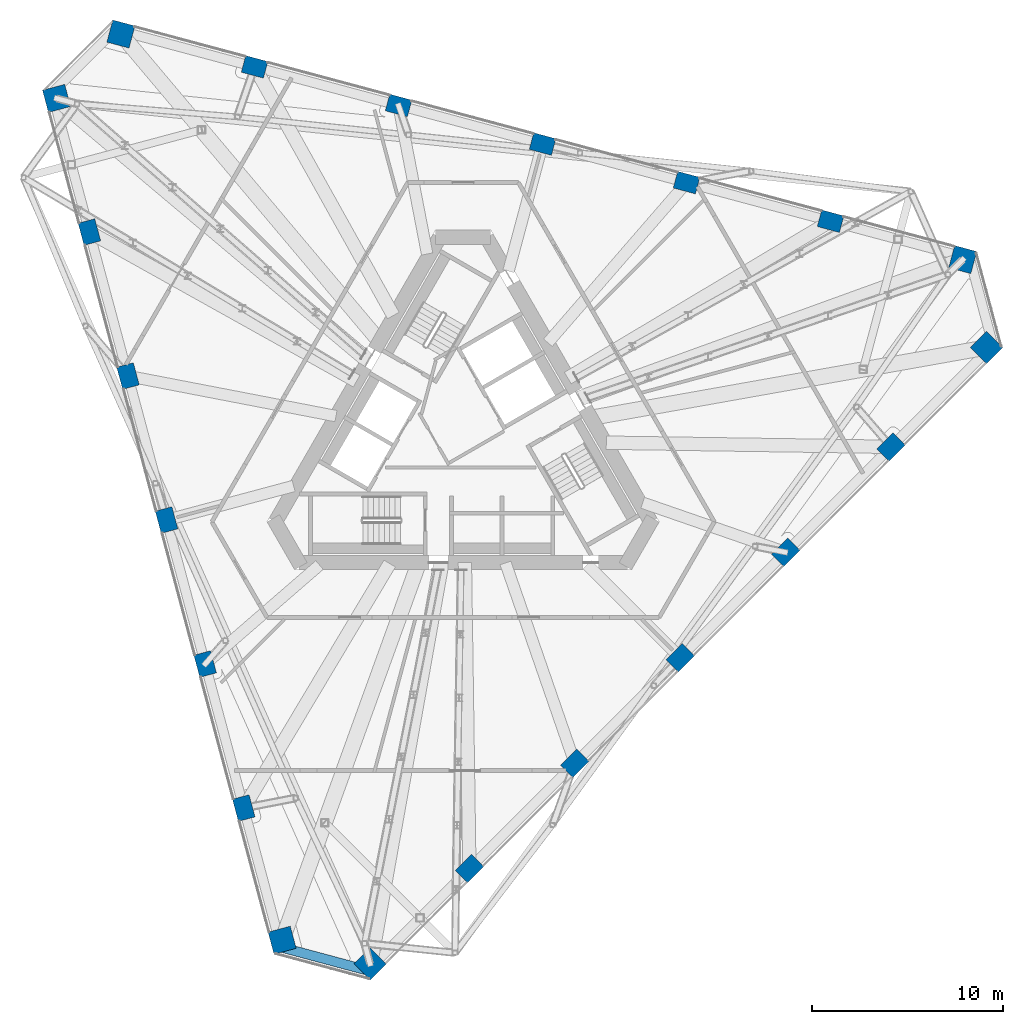
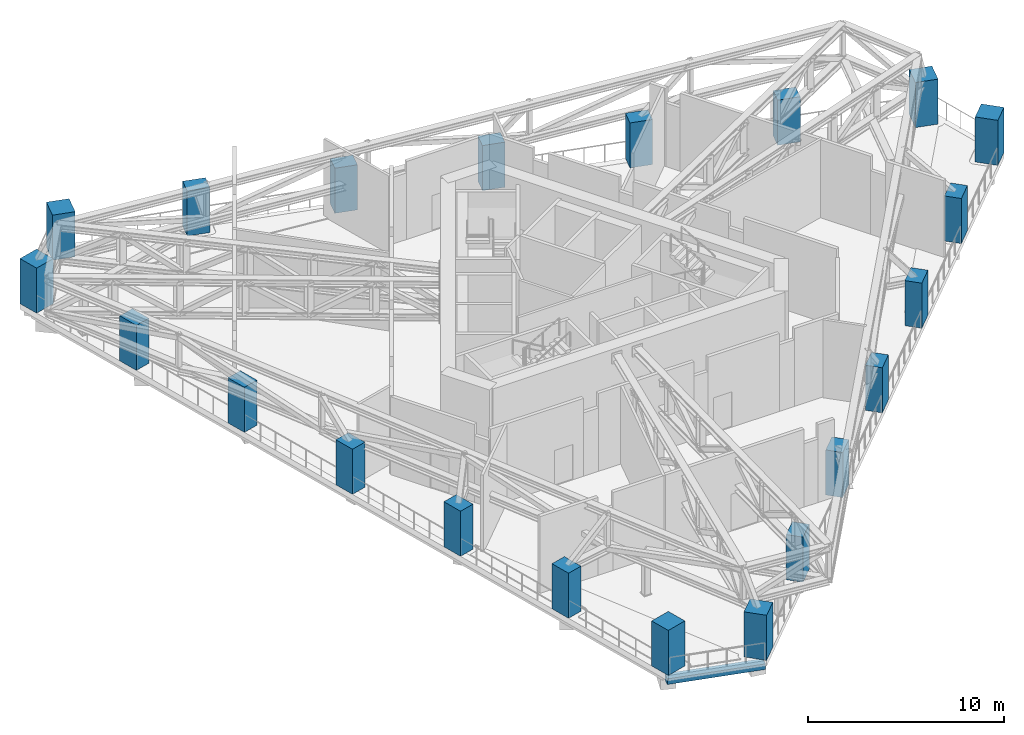
# One storey, part 1 of 22: 21 columns, 1 beam.
"""IFC4 building model written with IfcOpenShell, lengths in metres."""

from ifc_helpers import new_model, si_unit, direction, frame, origin, origin_2d, place, context, subcontext, project, spatial, rectangle, extrude, material, material_profile, profile_set, type_object, element, save


model = new_model("IFC4")

# Units and contexts
model_context = context("Model", 3, precision=1e-05, world=origin(), true_north=direction((0.0, 1.0)))
body_context = subcontext(model_context, "Body", "Model", "MODEL_VIEW")
ifc_project = project(units=[si_unit("LENGTHUNIT", "METRE"), si_unit("AREAUNIT", "SQUARE_METRE"), si_unit("VOLUMEUNIT", "CUBIC_METRE"), si_unit("PLANEANGLEUNIT", "RADIAN"), si_unit("MASSUNIT", "GRAM", prefix="KILO")], contexts=[model_context])

# Site, building, storey
site_placement = place(None, origin())
site = spatial("IfcSite", under=ifc_project, at=site_placement, CompositionType="ELEMENT")
building_placement = place(site_placement, origin())
building = spatial("IfcBuilding", under=site, at=building_placement, Name="Tramontana Tower", CompositionType="ELEMENT")
storey_placement = place(building_placement, frame((0.0, 0.0, 232.0)))
storey = spatial("IfcBuildingStorey", under=building, at=storey_placement, Name="L54", CompositionType="ELEMENT", Elevation=232.0)

# Columns
ifc_material_1 = material(Name="Concrete 55 MPa", Category="concrete")
ifc_material_profile_1 = material_profile(ifc_material_1, rectangle(XDim=1.199951171875, YDim=1.199951171875, at=origin_2d()), Name="Mega column 1200X1200 55 MPa")
ifc_profile_set_1 = profile_set([ifc_material_profile_1], Name="Concrete 55 MPa")
column_type_1 = type_object("IfcColumnType", Name="Mega column 1200X1200 55 MPa", PredefinedType="COLUMN", material=ifc_profile_set_1)
for number, where, z_axis, x_axis, name in (
    (1, (-21.2548828125, 17.89111328125, 0.0), (0.0, 0.0, 1.0), (0.258819045103, -0.965925826289, 0.0), "Mega column C5K1 L54"),
    (2, (-9.461669921875, -26.12158203125, 0.0), (0.0, 0.0, 1.0), (0.258819045103, -0.965925826289, 0.0), "Mega column C5K2 L54"),
    (3, (-4.86669921875, -27.352783203125, 0.0), (0.0, 0.0, 1.0), (0.707106781187, 0.707106781187, 0.0), "Mega column C5K3 L54"),
    (4, (27.352783203125, 4.86669921875, 0.0), (0.0, 0.0, 1.0), (0.707106781187, 0.707106781187, 0.0), "Mega column C5K4 L54"),
    (5, (26.12158203125, 9.461669921875, 0.0), (0.0, 0.0, 1.0), (-0.965925826289, 0.258819045103, 0.0), "Mega column C5K5 L54"),
    (6, (-17.89111328125, 21.2548828125, 0.0), (0.0, 0.0, 1.0), (-0.965925826289, 0.258819045103, 0.0), "Mega column C5K6 L54"),
):
    element("IfcColumn", number, at=place(storey_placement, frame(where, z_axis=z_axis, x_axis=x_axis)), inside=storey, type_object=column_type_1, Name=name, PredefinedType="COLUMN", context=body_context, shape_type="SweptSolid", body=[
        extrude(rectangle(XDim=1.199951171875, YDim=1.199951171875, at=origin_2d()), origin(), (0.0, 0.0, 1.0), 2.806396484375),
    ])
ifc_material_2 = material(Name="Concrete 55 MPa", Category="concrete")
ifc_material_profile_2 = material_profile(ifc_material_2, rectangle(XDim=1.199951171875, YDim=0.89990234375, at=origin_2d()), Name="Pier column 1200X900 55 MPa")
ifc_profile_set_2 = profile_set([ifc_material_profile_2], Name="Concrete 55 MPa")
column_type_2 = type_object("IfcColumnType", Name="Pier column 1200X900 55 MPa", PredefinedType="COLUMN", material=ifc_profile_set_2)
for number, where, z_axis, x_axis, name in (
    (7, (-19.53759765625, 10.9033203125, 0.0), (0.0, 0.0, 1.0), (0.258819045103, -0.965925826289, 0.0), "Pier column C5F01 L54"),
    (8, (-17.5205078125, 3.37451171875, 0.0), (0.0, 0.0, 1.0), (0.258819045103, -0.965925826289, 0.0), "Pier column C5F02 L54"),
    (9, (-15.503173828125, -4.154052734375, 0.0), (0.0, 0.0, 1.0), (0.258819045103, -0.965925826289, 0.0), "Pier column C5F03 L54"),
    (10, (-13.48583984375, -11.6826171875, 0.0), (0.0, 0.0, 1.0), (0.258819045103, -0.965925826289, 0.0), "Pier column C5F04 L54"),
    (11, (-11.468505859375, -19.21142578125, 0.0), (0.0, 0.0, 1.0), (0.258819045103, -0.965925826289, 0.0), "Pier column C5F05 L54"),
    (12, (0.326416015625, -22.371826171875, 0.0), (0.0, 0.0, 1.0), (0.707106781187, 0.707106781187, 0.0), "Pier column C5F06 L54"),
    (13, (5.837646484375, -16.8603515625, 0.0), (0.0, 0.0, 1.0), (0.707106781187, 0.707106781187, 0.0), "Pier column C5F07 L54"),
    (14, (11.34912109375, -11.34912109375, 0.0), (0.0, 0.0, 1.0), (0.707106781187, 0.707106781187, 0.0), "Pier column C5F08 L54"),
    (15, (16.8603515625, -5.837646484375, 0.0), (0.0, 0.0, 1.0), (0.707106781187, 0.707106781187, 0.0), "Pier column C5F09 L54"),
    (16, (22.371826171875, -0.326416015625, 0.0), (0.0, 0.0, 1.0), (0.707106781187, 0.707106781187, 0.0), "Pier column C5F10 L54"),
    (17, (19.21142578125, 11.468505859375, 0.0), (0.0, 0.0, 1.0), (-0.965925826289, 0.258819045103, 0.0), "Pier column C5F11 L54"),
    (18, (11.6826171875, 13.48583984375, 0.0), (0.0, 0.0, 1.0), (-0.965925826289, 0.258819045103, 0.0), "Pier column C5F12 L54"),
    (19, (4.154052734375, 15.503173828125, 0.0), (0.0, 0.0, 1.0), (-0.965925826289, 0.258819045103, 0.0), "Pier column C5F13 L54"),
    (20, (-3.37451171875, 17.5205078125, 0.0), (0.0, 0.0, 1.0), (-0.965925826289, 0.258819045103, 0.0), "Pier column C5F14 L54"),
    (21, (-10.9033203125, 19.53759765625, 0.0), (0.0, 0.0, 1.0), (-0.965925826289, 0.258819045103, 0.0), "Pier column C5F15 L54"),
):
    element("IfcColumn", number, at=place(storey_placement, frame(where, z_axis=z_axis, x_axis=x_axis)), inside=storey, type_object=column_type_2, Name=name, PredefinedType="COLUMN", context=body_context, shape_type="SweptSolid", body=[
        extrude(rectangle(XDim=1.199951171875, YDim=0.89990234375, at=origin_2d()), origin(), (0.0, 0.0, 1.0), 2.806396484375),
    ])

# Beam
ifc_material_3 = material(Name="Concrete 40 MPa", Category="concrete")
ifc_material_profile_3 = material_profile(ifc_material_3, rectangle(XDim=0.5, YDim=0.35009765625, at=origin_2d()), Name="RC EDGE BEAM 500X350 40 MPa")
ifc_profile_set_3 = profile_set([ifc_material_profile_3], Name="Concrete 40 MPa")
beam_type = type_object("IfcBeamType", Name="RC EDGE BEAM 500X350 40 MPa", PredefinedType="SPANDREL", material=ifc_profile_set_3)
beam_placement = place(storey_placement, frame((-9.769287109375, -26.421875, -0.52490234375), z_axis=(0.965931693355, -0.258797147923, 0.0), x_axis=(0.258797147923, 0.965931693355, 0.0)))
element("IfcBeam", 22, at=beam_placement, inside=storey, type_object=beam_type, Name="Spandrel beam K1 L54", PredefinedType="SPANDREL", context=body_context, shape_type="SweptSolid", body=[
    extrude(rectangle(XDim=0.5, YDim=0.35009765625, at=origin_2d()), origin(), (0.0, 0.0, 1.0), 5.196044921875),
])

save(model, "model.ifc")
